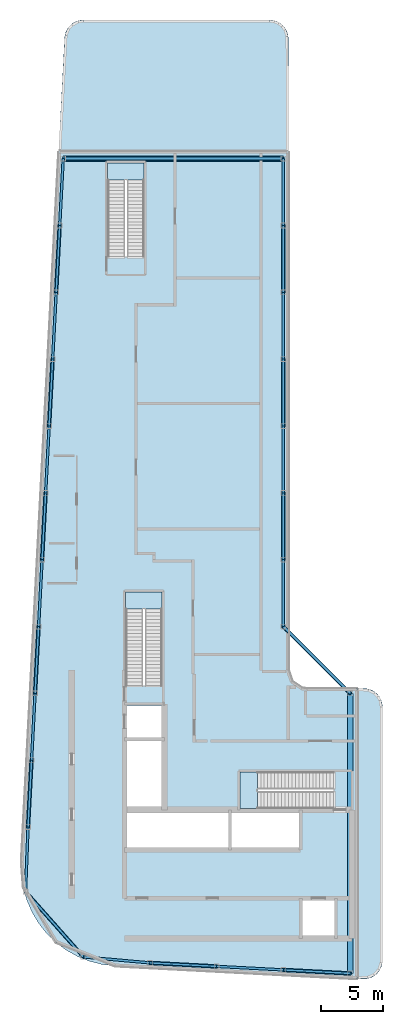
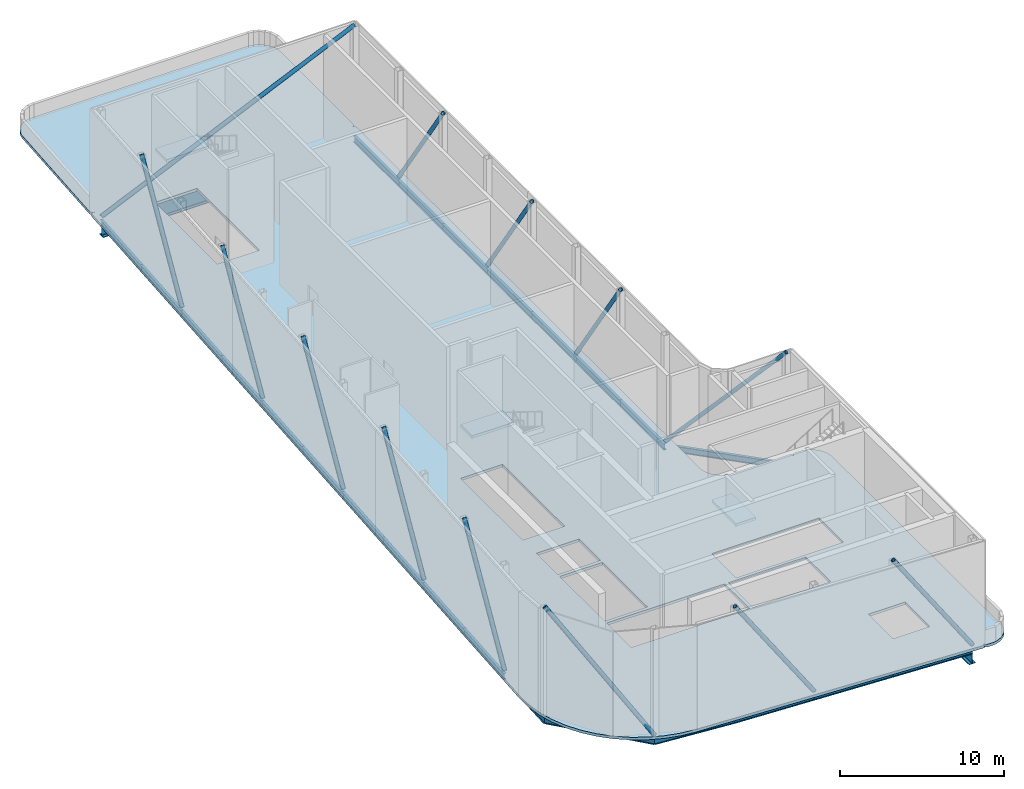
# One storey, part 3 of 10: 26 beams, 13 members, 4 slabs, 3 elements without a shape of their own.
"""IFC4 building model written with IfcOpenShell, lengths in metres."""

import ifcopenshell
import ifcopenshell.guid

model = None  # the IFC model being written
_history = None  # IfcOwnerHistory: only IFC2X3 demands one
_inside = {}  # id of a spatial element -> (the spatial element, [elements in it])
_under = {}  # id of a project, library or spatial element -> (it, [spatial elements below it])
_declared = {}  # id of a project -> (the project, [libraries it declares])
_typed = {}  # id of a type object -> (the type object, [elements of that type])
_made_of = {}  # id of a material, layer set ... -> (it, [elements and type objects made of it])


def new_model(schema):
    """Start an empty IFC model of exactly this schema.

    Asked for "IFC4X3", IfcOpenShell would pick the latest addendum, in which some entities
    have other attributes; the version numbers below select the first issue.
    IFC2X3 requires an IfcOwnerHistory on every rooted entity: one is made here for all.
    """
    global model, _history
    if schema == "IFC4X3":
        model = ifcopenshell.file(schema_version=(4, 3, 0, 0))
    else:
        model = ifcopenshell.file(schema=schema)
    _inside.clear()
    _under.clear()
    _declared.clear()
    _typed.clear()
    _made_of.clear()
    _history = None
    if model.schema == "IFC2X3":
        org = make("IfcOrganization", Name="unknown")
        user = make(
            "IfcPersonAndOrganization",
            ThePerson=make("IfcPerson", FamilyName="unknown"),
            TheOrganization=org,
        )
        app = make(
            "IfcApplication",
            ApplicationDeveloper=org,
            Version="unknown",
            ApplicationFullName="unknown",
            ApplicationIdentifier="unknown",
        )
        _history = make(
            "IfcOwnerHistory",
            OwningUser=user,
            OwningApplication=app,
            ChangeAction="ADDED",
            CreationDate=0,
        )
    return model


def make(cls, **values):
    """One entity of the class cls with the attributes given. An attribute that is None is left unset."""
    return model.create_entity(
        cls, **{name: value for name, value in values.items() if value is not None}
    )


def rooted(cls, **values):
    """An entity with a GlobalId (a new one), such as an element, a storey or a relation."""
    return make(cls, GlobalId=ifcopenshell.guid.new(), OwnerHistory=_history, **values)


def si_unit(unit_type, name, prefix=None):
    """IfcSIUnit, for example si_unit("LENGTHUNIT", "METRE", prefix="MILLI")."""
    return make("IfcSIUnit", UnitType=unit_type, Prefix=prefix, Name=name)


def assignment(units):
    """IfcUnitAssignment: the units of a project."""
    return None if units is None else make("IfcUnitAssignment", Units=units)


def point(xyz):
    """IfcCartesianPoint."""
    return None if xyz is None else make("IfcCartesianPoint", Coordinates=xyz)


def direction(xyz):
    """IfcDirection."""
    return None if xyz is None else make("IfcDirection", DirectionRatios=xyz)


def frame(location, z_axis=None, x_axis=None):
    """IfcAxis2Placement3D, a coordinate frame: its origin and axes. An axis left out is left unset."""
    return make(
        "IfcAxis2Placement3D",
        Location=point(location),
        Axis=direction(z_axis),
        RefDirection=direction(x_axis),
    )


def frame_2d(location, x_axis=None):
    """IfcAxis2Placement2D, a coordinate frame in the plane: its origin and x axis."""
    return make(
        "IfcAxis2Placement2D", Location=point(location), RefDirection=direction(x_axis)
    )


def origin():
    """The frame at (0, 0, 0) with its axes left unset."""
    return frame((0.0, 0.0, 0.0))


def origin_2d():
    """The frame at (0, 0) in the plane with its x axis left unset."""
    return frame_2d((0.0, 0.0))


def place(relative_to, where):
    """IfcLocalPlacement: puts the frame where relative to a parent placement (None: the world)."""
    return make(
        "IfcLocalPlacement", PlacementRelTo=relative_to, RelativePlacement=where
    )


def context(
    kind, dimensions, precision=None, world=None, true_north=None, identifier=None
):
    """IfcGeometricRepresentationContext, for example the 3D "Model" context."""
    return make(
        "IfcGeometricRepresentationContext",
        ContextIdentifier=identifier,
        ContextType=kind,
        CoordinateSpaceDimension=dimensions,
        Precision=precision,
        WorldCoordinateSystem=world,
        TrueNorth=true_north,
    )


def subcontext(parent, identifier, kind, view, scale=None):
    """IfcGeometricRepresentationSubContext, for example "Body" below "Model"."""
    return make(
        "IfcGeometricRepresentationSubContext",
        ContextIdentifier=identifier,
        ContextType=kind,
        ParentContext=parent,
        TargetScale=scale,
        TargetView=view,
    )


def project(units=None, contexts=None):
    """IfcProject with its units and contexts."""
    return rooted(
        "IfcProject",
        Name="project",
        RepresentationContexts=contexts,
        UnitsInContext=assignment(units),
    )


def spatial(cls, under=None, at=None, **own):
    """A site, building, storey or space (cls), placed at a placement, below another one or the project."""
    s = rooted(cls, ObjectPlacement=at, **own)
    if under is not None:
        _under.setdefault(under.id(), (under, []))[1].append(s)
    return s


def polyline(points):
    """IfcPolyline through the points."""
    return make("IfcPolyline", Points=[point(p) for p in points])


def profile(cls, at=None, kind="AREA", **sizes):
    """A parametric profile (cls). Its sizes go by their IFC names, for example OverallWidth=200.0."""
    return make(cls, ProfileType=kind, Position=at, **sizes)


def hollow_circle(**sizes):
    """IfcCircleHollowProfileDef."""
    return profile("IfcCircleHollowProfileDef", **sizes)


def i_section(**sizes):
    """IfcIShapeProfileDef."""
    return profile("IfcIShapeProfileDef", **sizes)


def outline(outer, holes=None, kind="AREA"):
    """IfcArbitraryClosedProfileDef: a profile drawn as a closed curve; with holes, ...WithVoids."""
    if holes is None:
        return make("IfcArbitraryClosedProfileDef", ProfileType=kind, OuterCurve=outer)
    return make(
        "IfcArbitraryProfileDefWithVoids",
        ProfileType=kind,
        OuterCurve=outer,
        InnerCurves=holes,
    )


def extrude(swept, where, along, depth):
    """IfcExtrudedAreaSolid: the profile swept, set in the frame where, extruded along a direction by depth."""
    return make(
        "IfcExtrudedAreaSolid",
        SweptArea=swept,
        Position=where,
        ExtrudedDirection=direction(along),
        Depth=depth,
    )


def shape(context_of_items, identifier, shape_type, items):
    """IfcShapeRepresentation: the items that make up one representation, for example the "Body"."""
    return make(
        "IfcShapeRepresentation",
        ContextOfItems=context_of_items,
        RepresentationIdentifier=identifier,
        RepresentationType=shape_type,
        Items=items,
    )


def material(Name=None, Category=None):
    """IfcMaterial."""
    return make("IfcMaterial", Name=Name, Category=Category)


def layer(
    of_material, thickness, ventilated=None, Name=None, Category=None, Priority=None
):
    """IfcMaterialLayer: one layer of a wall or slab, of a material (None: an air gap)."""
    return make(
        "IfcMaterialLayer",
        Material=of_material,
        LayerThickness=thickness,
        IsVentilated=ventilated,
        Name=Name,
        Category=Category,
        Priority=Priority,
    )


def layer_set(layers, Name=None):
    """IfcMaterialLayerSet."""
    return make("IfcMaterialLayerSet", MaterialLayers=layers, LayerSetName=Name)


def material_profile(
    of_material, cross_section, Name=None, Category=None, Priority=None
):
    """IfcMaterialProfile: a cross section and its material."""
    return make(
        "IfcMaterialProfile",
        Name=Name,
        Material=of_material,
        Profile=cross_section,
        Priority=Priority,
        Category=Category,
    )


def profile_set(profiles, Name=None, composite=None):
    """IfcMaterialProfileSet."""
    return make(
        "IfcMaterialProfileSet",
        Name=Name,
        MaterialProfiles=profiles,
        CompositeProfile=composite,
    )


def made_of(thing, what):
    """Note that an element or type object is made of a material, layer set ...; save() writes the relation."""
    if what is not None:
        _made_of.setdefault(what.id(), (what, []))[1].append(thing)
    return thing


def type_object(cls, material=None, **own):
    """A type object (cls), such as IfcWallType, which elements share."""
    return made_of(rooted(cls, **own), material)


def element(
    cls,
    number,
    at=None,
    inside=None,
    cuts=None,
    type_object=None,
    material=None,
    context=None,
    identifier="Body",
    shape_type=None,
    held_by="IfcProductDefinitionShape",
    body=None,
    shapes=None,
    **own,
):
    """One element of the class cls, such as IfcWall. Its Tag is "e" and its number.

    at: its placement. inside: the storey or other place that contains it. cuts: it is an
    opening in that element (IfcRelVoidsElement). A single representation is given by context,
    identifier, shape_type and body (its items); several are given by shapes. held_by: the class
    of the entity that holds the representations. save() writes the other relations.
    """
    e = rooted(cls, Tag="e%d" % number, ObjectPlacement=at, **own)
    if body is not None:
        shapes = [shape(context, identifier, shape_type, body)]
    if shapes is not None:
        e.Representation = make(held_by, Representations=shapes)
    if inside is not None:
        _inside.setdefault(inside.id(), (inside, []))[1].append(e)
    if cuts is not None:
        rooted(
            "IfcRelVoidsElement", RelatingBuildingElement=cuts, RelatedOpeningElement=e
        )
    if type_object is not None:
        _typed.setdefault(type_object.id(), (type_object, []))[1].append(e)
    return made_of(e, material)


def aggregate(whole, parts):
    """IfcRelAggregates: a whole, such as a stair, and the parts it consists of."""
    return rooted("IfcRelAggregates", RelatingObject=whole, RelatedObjects=parts)


def save(model, path):
    """Write the relations noted so far, then the file.

    IfcRelAggregates (storeys below a building ...), IfcRelContainedInSpatialStructure (elements
    in a storey), IfcRelDefinesByType, IfcRelAssociatesMaterial and IfcRelDeclares: one each for
    every whole, place, type object, material and project.
    """
    for whole, parts in _under.values():
        aggregate(whole, parts)
    for where, things in _inside.values():
        rooted(
            "IfcRelContainedInSpatialStructure",
            RelatedElements=things,
            RelatingStructure=where,
        )
    for kind, things in _typed.values():
        rooted("IfcRelDefinesByType", RelatedObjects=things, RelatingType=kind)
    for what, things in _made_of.values():
        rooted("IfcRelAssociatesMaterial", RelatedObjects=things, RelatingMaterial=what)
    for by, libraries in _declared.values():
        rooted("IfcRelDeclares", RelatingContext=by, RelatedDefinitions=libraries)
    model.write(path)


model = new_model("IFC4")

# Units and contexts
model_context = context("Model", 3, precision=1e-05, world=origin(), true_north=direction((0.0, 1.0)))
body_context = subcontext(model_context, "Body", "Model", "MODEL_VIEW")
ifc_project = project(units=[si_unit("LENGTHUNIT", "METRE"), si_unit("AREAUNIT", "SQUARE_METRE"), si_unit("VOLUMEUNIT", "CUBIC_METRE"), si_unit("PLANEANGLEUNIT", "RADIAN"), si_unit("MASSUNIT", "GRAM", prefix="KILO")], contexts=[model_context])

# Site, building, storey
site_placement = place(None, origin())
site = spatial("IfcSite", under=ifc_project, at=site_placement, CompositionType="ELEMENT")
building_placement = place(site_placement, origin())
building = spatial("IfcBuilding", under=site, at=building_placement, Name="Kheshtan School and Residences Tower", CompositionType="ELEMENT")
storey_placement = place(building_placement, frame((0.0, 0.0, 396.800048828125)))
storey = spatial("IfcBuildingStorey", under=building, at=storey_placement, Name="L93", CompositionType="ELEMENT", Elevation=396.800048828125)

# Beams
ifc_material_1 = material(Name="Steel ASTM A992 Grade 50", Category="steel")
ifc_material_profile_1 = material_profile(ifc_material_1, i_section(OverallWidth=0.18994140625, OverallDepth=0.45703125, WebThickness=0.009033203125, FlangeThickness=0.014404296875, FilletRadius=0.01318359375, at=origin_2d()), Name="W460x74")
ifc_profile_set_1 = profile_set([ifc_material_profile_1], Name="Steel ASTM A992 Grade 50")
beam_type_1 = type_object("IfcBeamType", Name="Beam SP4 W460x74 ASTM A992 Grade 50", PredefinedType="BEAM", material=ifc_profile_set_1)
beam_1_placement = place(storey_placement, frame((53.0, 22.97998046875, -0.428466796875), z_axis=(-0.998620447272, 0.05250906864, 0.0), x_axis=(-0.05250906864, -0.998620447272, 0.0)))
element("IfcBeam", 1, at=beam_1_placement, inside=storey, type_object=beam_type_1, Name="Spandrel beam C019-C020", PredefinedType="BEAM", context=body_context, shape_type="SweptSolid", body=[
    extrude(i_section(OverallWidth=0.18994140625, OverallDepth=0.45703125, WebThickness=0.009033203125, FlangeThickness=0.014404296875, FilletRadius=0.01318359375, at=origin_2d()), origin(), (0.0, 0.0, 1.0), 5.407470703125),
])
beam_2_placement = place(storey_placement, frame((47.60009765625, 23.263916015625, -0.428466796875), z_axis=(-0.998618203458, 0.052551724256, 0.0), x_axis=(-0.052551724256, -0.998618203458, 0.0)))
element("IfcBeam", 2, at=beam_2_placement, inside=storey, type_object=beam_type_1, Name="Spandrel beam C020-C021", PredefinedType="BEAM", context=body_context, shape_type="SweptSolid", body=[
    extrude(i_section(OverallWidth=0.18994140625, OverallDepth=0.45703125, WebThickness=0.009033203125, FlangeThickness=0.014404296875, FilletRadius=0.01318359375, at=origin_2d()), origin(), (0.0, 0.0, 1.0), 5.40771484375),
])
beam_3_placement = place(storey_placement, frame((42.199951171875, 23.548095703125, -0.428466796875), z_axis=(-0.998620447272, 0.05250906864, 0.0), x_axis=(-0.05250906864, -0.998620447272, 0.0)))
element("IfcBeam", 3, at=beam_3_placement, inside=storey, type_object=beam_type_1, Name="Spandrel beam C021-C022", PredefinedType="BEAM", context=body_context, shape_type="SweptSolid", body=[
    extrude(i_section(OverallWidth=0.18994140625, OverallDepth=0.45703125, WebThickness=0.009033203125, FlangeThickness=0.014404296875, FilletRadius=0.01318359375, at=origin_2d()), origin(), (0.0, 0.0, 1.0), 5.407470703125),
])
beam_4_placement = place(storey_placement, frame((36.800048828125, 23.83203125, -0.428466796875), z_axis=(-0.996036411806, 0.088946424077, 0.0), x_axis=(-0.088946424077, -0.996036411806, 0.0)))
element("IfcBeam", 4, at=beam_4_placement, inside=storey, type_object=beam_type_1, Name="Spandrel beam C022-C034", PredefinedType="BEAM", context=body_context, shape_type="SweptSolid", body=[
    extrude(i_section(OverallWidth=0.18994140625, OverallDepth=0.45703125, WebThickness=0.009033203125, FlangeThickness=0.014404296875, FilletRadius=0.01318359375, at=origin_2d()), origin(), (0.0, 0.0, 1.0), 5.374267578125),
])
beam_5_placement = place(storey_placement, frame((31.447021484375, 24.31005859375, -0.428466796875), z_axis=(-0.663867136248, 0.747850536812, 0.0), x_axis=(-0.747850536812, -0.663867136248, 0.0)))
element("IfcBeam", 5, at=beam_5_placement, inside=storey, type_object=beam_type_1, Name="Spandrel beam C034-C048", PredefinedType="BEAM", context=body_context, shape_type="SweptSolid", body=[
    extrude(i_section(OverallWidth=0.18994140625, OverallDepth=0.45703125, WebThickness=0.009033203125, FlangeThickness=0.014404296875, FilletRadius=0.01318359375, at=origin_2d()), origin(), (0.0, 0.0, 1.0), 7.049560546875),
])
beam_6_placement = place(storey_placement, frame((26.76708984375, 29.58203125, -0.428466796875), z_axis=(0.038664745323, 0.999252239161, 0.0), x_axis=(-0.999252239161, 0.038664745323, 0.0)))
element("IfcBeam", 6, at=beam_6_placement, inside=storey, type_object=beam_type_1, Name="Spandrel beam C048-C052", PredefinedType="BEAM", context=body_context, shape_type="SweptSolid", body=[
    extrude(i_section(OverallWidth=0.18994140625, OverallDepth=0.45703125, WebThickness=0.009033203125, FlangeThickness=0.014404296875, FilletRadius=0.01318359375, at=origin_2d()), origin(), (0.0, 0.0, 1.0), 5.221923828125),
])
beam_7_placement = place(storey_placement, frame((26.968994140625, 34.800048828125, -0.428466796875), z_axis=(0.05250906864, 0.998620447272, 0.0), x_axis=(-0.998620447272, 0.05250906864, 0.0)))
element("IfcBeam", 7, at=beam_7_placement, inside=storey, type_object=beam_type_1, Name="Spandrel beam C052-C056", PredefinedType="BEAM", context=body_context, shape_type="SweptSolid", body=[
    extrude(i_section(OverallWidth=0.18994140625, OverallDepth=0.45703125, WebThickness=0.009033203125, FlangeThickness=0.014404296875, FilletRadius=0.01318359375, at=origin_2d()), origin(), (0.0, 0.0, 1.0), 5.407470703125),
])
beam_8_placement = place(storey_placement, frame((27.2529296875, 40.199951171875, -0.428466796875), z_axis=(0.052551724256, 0.998618203458, 0.0), x_axis=(-0.998618203458, 0.052551724256, 0.0)))
element("IfcBeam", 8, at=beam_8_placement, inside=storey, type_object=beam_type_1, Name="Spandrel beam C056-C059", PredefinedType="BEAM", context=body_context, shape_type="SweptSolid", body=[
    extrude(i_section(OverallWidth=0.18994140625, OverallDepth=0.45703125, WebThickness=0.009033203125, FlangeThickness=0.014404296875, FilletRadius=0.01318359375, at=origin_2d()), origin(), (0.0, 0.0, 1.0), 5.40771484375),
])
for number, where, z_axis, x_axis, name in (
    (9, (27.537109375, 45.60009765625, -0.428466796875), (0.052689166816, 0.998610961136, 0.0), (-0.998610961136, 0.052689166816, 0.0), "Spandrel beam C059-C078"),
    (10, (27.822021484375, 51.0, -0.428466796875), (0.05250906864, 0.998620447272, 0.0), (-0.998620447272, 0.05250906864, 0.0), "Spandrel beam C078-C080"),
):
    element("IfcBeam", number, at=place(storey_placement, frame(where, z_axis=z_axis, x_axis=x_axis)), inside=storey, type_object=beam_type_1, Name=name, PredefinedType="BEAM", context=body_context, shape_type="SweptSolid", body=[
        extrude(i_section(OverallWidth=0.18994140625, OverallDepth=0.45703125, WebThickness=0.009033203125, FlangeThickness=0.014404296875, FilletRadius=0.01318359375, at=origin_2d()), origin(), (0.0, 0.0, 1.0), 5.407470703125),
    ])
beam_9_placement = place(storey_placement, frame((28.10595703125, 56.39990234375, -0.428466796875), z_axis=(0.05250670125, 0.998620571751, 0.0), x_axis=(-0.998620571751, 0.05250670125, 0.0)))
element("IfcBeam", 11, at=beam_9_placement, inside=storey, type_object=beam_type_1, Name="Spandrel beam C080-C082", PredefinedType="BEAM", context=body_context, shape_type="SweptSolid", body=[
    extrude(i_section(OverallWidth=0.18994140625, OverallDepth=0.45703125, WebThickness=0.009033203125, FlangeThickness=0.014404296875, FilletRadius=0.01318359375, at=origin_2d()), origin(), (0.0, 0.0, 1.0), 5.40771484375),
])
beam_10_placement = place(storey_placement, frame((28.389892578125, 61.800048828125, -0.428466796875), z_axis=(0.052554093665, 0.998618078766, 0.0), x_axis=(-0.998618078766, 0.052554093665, 0.0)))
element("IfcBeam", 12, at=beam_10_placement, inside=storey, type_object=beam_type_1, Name="Spandrel beam C082-C084", PredefinedType="BEAM", context=body_context, shape_type="SweptSolid", body=[
    extrude(i_section(OverallWidth=0.18994140625, OverallDepth=0.45703125, WebThickness=0.009033203125, FlangeThickness=0.014404296875, FilletRadius=0.01318359375, at=origin_2d()), origin(), (0.0, 0.0, 1.0), 5.407470703125),
])
beam_11_placement = place(storey_placement, frame((28.674072265625, 67.199951171875, -0.428466796875), z_axis=(0.05250670125, 0.998620571751, 0.0), x_axis=(-0.998620571751, 0.05250670125, 0.0)))
element("IfcBeam", 13, at=beam_11_placement, inside=storey, type_object=beam_type_1, Name="Spandrel beam C084-C086", PredefinedType="BEAM", context=body_context, shape_type="SweptSolid", body=[
    extrude(i_section(OverallWidth=0.18994140625, OverallDepth=0.45703125, WebThickness=0.009033203125, FlangeThickness=0.014404296875, FilletRadius=0.01318359375, at=origin_2d()), origin(), (0.0, 0.0, 1.0), 5.40771484375),
])
for number, where, z_axis, x_axis, name in (
    (14, (28.9580078125, 72.60009765625, -0.428466796875), (0.052689166816, 0.998610961136, 0.0), (-0.998610961136, 0.052689166816, 0.0), "Spandrel beam C086-C088"),
    (15, (29.242919921875, 78.0, -0.428466796875), (0.052554093665, 0.998618078766, 0.0), (-0.998618078766, 0.052554093665, 0.0), "Spandrel beam C088-C090"),
):
    element("IfcBeam", number, at=place(storey_placement, frame(where, z_axis=z_axis, x_axis=x_axis)), inside=storey, type_object=beam_type_1, Name=name, PredefinedType="BEAM", context=body_context, shape_type="SweptSolid", body=[
        extrude(i_section(OverallWidth=0.18994140625, OverallDepth=0.45703125, WebThickness=0.009033203125, FlangeThickness=0.014404296875, FilletRadius=0.01318359375, at=origin_2d()), origin(), (0.0, 0.0, 1.0), 5.407470703125),
    ])
beam_12_placement = place(storey_placement, frame((29.527099609375, 83.39990234375, -0.428466796875), z_axis=(0.05250670125, 0.998620571751, 0.0), x_axis=(-0.998620571751, 0.05250670125, 0.0)))
element("IfcBeam", 16, at=beam_12_placement, inside=storey, type_object=beam_type_1, Name="Spandrel beam C090-C098", PredefinedType="BEAM", context=body_context, shape_type="SweptSolid", body=[
    extrude(i_section(OverallWidth=0.18994140625, OverallDepth=0.45703125, WebThickness=0.009033203125, FlangeThickness=0.014404296875, FilletRadius=0.01318359375, at=origin_2d()), origin(), (0.0, 0.0, 1.0), 5.40771484375),
])
beam_13_placement = place(storey_placement, frame((47.60009765625, 88.800048828125, -0.428466796875), z_axis=(0.0, -1.0, 0.0), x_axis=(1.0, 0.0, 0.0)))
element("IfcBeam", 17, at=beam_13_placement, inside=storey, type_object=beam_type_1, Name="Spandrel beam C099-C091", PredefinedType="BEAM", context=body_context, shape_type="SweptSolid", body=[
    extrude(i_section(OverallWidth=0.18994140625, OverallDepth=0.45703125, WebThickness=0.009033203125, FlangeThickness=0.014404296875, FilletRadius=0.01318359375, at=origin_2d()), origin(), (0.0, 0.0, 1.0), 5.400146484375),
])
for number, where, z_axis, x_axis, name in (
    (18, (47.60009765625, 83.39990234375, -0.428466796875), (0.0, -1.0, 0.0), (1.0, 0.0, 0.0), "Spandrel beam C091-C089"),
    (19, (47.60009765625, 78.0, -0.428466796875), (0.0, -1.0, 0.0), (1.0, 0.0, 0.0), "Spandrel beam C089-C087"),
):
    element("IfcBeam", number, at=place(storey_placement, frame(where, z_axis=z_axis, x_axis=x_axis)), inside=storey, type_object=beam_type_1, Name=name, PredefinedType="BEAM", context=body_context, shape_type="SweptSolid", body=[
        extrude(i_section(OverallWidth=0.18994140625, OverallDepth=0.45703125, WebThickness=0.009033203125, FlangeThickness=0.014404296875, FilletRadius=0.01318359375, at=origin_2d()), origin(), (0.0, 0.0, 1.0), 5.39990234375),
    ])
beam_14_placement = place(storey_placement, frame((47.60009765625, 72.60009765625, -0.428466796875), z_axis=(0.0, -1.0, 0.0), x_axis=(1.0, 0.0, 0.0)))
element("IfcBeam", 20, at=beam_14_placement, inside=storey, type_object=beam_type_1, Name="Spandrel beam C087-C085", PredefinedType="BEAM", context=body_context, shape_type="SweptSolid", body=[
    extrude(i_section(OverallWidth=0.18994140625, OverallDepth=0.45703125, WebThickness=0.009033203125, FlangeThickness=0.014404296875, FilletRadius=0.01318359375, at=origin_2d()), origin(), (0.0, 0.0, 1.0), 5.400146484375),
])
beam_15_placement = place(storey_placement, frame((47.60009765625, 67.199951171875, -0.428466796875), z_axis=(0.0, -1.0, 0.0), x_axis=(1.0, 0.0, 0.0)))
element("IfcBeam", 21, at=beam_15_placement, inside=storey, type_object=beam_type_1, Name="Spandrel beam C085-C083", PredefinedType="BEAM", context=body_context, shape_type="SweptSolid", body=[
    extrude(i_section(OverallWidth=0.18994140625, OverallDepth=0.45703125, WebThickness=0.009033203125, FlangeThickness=0.014404296875, FilletRadius=0.01318359375, at=origin_2d()), origin(), (0.0, 0.0, 1.0), 5.39990234375),
])
beam_16_placement = place(storey_placement, frame((47.60009765625, 61.800048828125, -0.428466796875), z_axis=(0.0, -1.0, 0.0), x_axis=(1.0, 0.0, 0.0)))
element("IfcBeam", 22, at=beam_16_placement, inside=storey, type_object=beam_type_1, Name="Spandrel beam C083-C081", PredefinedType="BEAM", context=body_context, shape_type="SweptSolid", body=[
    extrude(i_section(OverallWidth=0.18994140625, OverallDepth=0.45703125, WebThickness=0.009033203125, FlangeThickness=0.014404296875, FilletRadius=0.01318359375, at=origin_2d()), origin(), (0.0, 0.0, 1.0), 5.400146484375),
])
beam_17_placement = place(storey_placement, frame((47.60009765625, 56.39990234375, -0.428466796875), z_axis=(0.0, -1.0, 0.0), x_axis=(1.0, 0.0, 0.0)))
element("IfcBeam", 23, at=beam_17_placement, inside=storey, type_object=beam_type_1, Name="Spandrel beam C081-C079", PredefinedType="BEAM", context=body_context, shape_type="SweptSolid", body=[
    extrude(i_section(OverallWidth=0.18994140625, OverallDepth=0.45703125, WebThickness=0.009033203125, FlangeThickness=0.014404296875, FilletRadius=0.01318359375, at=origin_2d()), origin(), (0.0, 0.0, 1.0), 5.39990234375),
])
beam_18_placement = place(storey_placement, frame((47.60009765625, 51.0, -0.428466796875), z_axis=(0.707106781187, -0.707106781187, 0.0), x_axis=(0.707106781187, 0.707106781187, 0.0)))
element("IfcBeam", 24, at=beam_18_placement, inside=storey, type_object=beam_type_1, Name="Spandrel beam C079-C061", PredefinedType="BEAM", context=body_context, shape_type="SweptSolid", body=[
    extrude(i_section(OverallWidth=0.18994140625, OverallDepth=0.45703125, WebThickness=0.009033203125, FlangeThickness=0.014404296875, FilletRadius=0.01318359375, at=origin_2d()), origin(), (0.0, 0.0, 1.0), 7.63671875),
])

# Members
ifc_material_2 = material(Name="Steel ASTM A500 Grade C", Category="steel")
ifc_material_profile_2 = material_profile(ifc_material_2, hollow_circle(Radius=0.136474609375, WallThickness=0.0126953125, at=origin_2d()), Name="HSS 273x12.7")
ifc_profile_set_2 = profile_set([ifc_material_profile_2], Name="Steel ASTM A500 Grade C")
member_type = type_object("IfcMemberType", Name="Member CF2 HSS 273x12.7 ASTM A500 Grade C", PredefinedType="BRACE", material=ifc_profile_set_2)
for number, where, z_axis, x_axis, name in (
    (25, (53.0, 22.97998046875, 0.0), (-0.559223981308, 0.029404896024, 0.828494955217), (-0.05250906864, -0.998620447272, 0.0), "Crown frame brace 2"),
    (26, (42.199951171875, 23.548095703125, 0.0), (-0.559223981308, 0.029404896024, 0.828494955217), (-0.05250906864, -0.998620447272, 0.0), "Crown frame brace 4"),
):
    element("IfcMember", number, at=place(storey_placement, frame(where, z_axis=z_axis, x_axis=x_axis)), inside=storey, type_object=member_type, Name=name, PredefinedType="BRACE", context=body_context, shape_type="SweptSolid", body=[
        extrude(hollow_circle(Radius=0.136474609375, WallThickness=0.0126953125, at=origin_2d()), origin(), (0.0, 0.0, 1.0), 9.656005859375),
    ])
member_1_placement = place(storey_placement, frame((31.447021484375, 24.31005859375, 0.0), z_axis=(-0.438902400132, 0.494426335669, 0.750271472039), x_axis=(-0.747850536812, -0.663867136248, 0.0)))
element("IfcMember", 27, at=member_1_placement, inside=storey, type_object=member_type, Name="Crown frame brace 6", PredefinedType="BRACE", context=body_context, shape_type="SweptSolid", body=[
    extrude(hollow_circle(Radius=0.136474609375, WallThickness=0.0126953125, at=origin_2d()), origin(), (0.0, 0.0, 1.0), 10.662841796875),
])
for number, where, z_axis, x_axis, name in (
    (28, (26.968994140625, 34.800048828125, 0.0), (0.029404896024, 0.559223981308, 0.828494955217), (-0.998620447272, 0.05250906864, 0.0), "Crown frame brace 8"),
    (29, (27.537109375, 45.60009765625, 0.0), (0.029505942765, 0.559222315405, 0.828492487168), (-0.998610961136, 0.052689166816, 0.0), "Crown frame brace 10"),
):
    element("IfcMember", number, at=place(storey_placement, frame(where, z_axis=z_axis, x_axis=x_axis)), inside=storey, type_object=member_type, Name=name, PredefinedType="BRACE", context=body_context, shape_type="SweptSolid", body=[
        extrude(hollow_circle(Radius=0.136474609375, WallThickness=0.0126953125, at=origin_2d()), origin(), (0.0, 0.0, 1.0), 9.656005859375),
    ])
for number, where, z_axis, x_axis, name in (
    (30, (28.10595703125, 56.39990234375, 0.0), (0.029404480261, 0.559241357603, 0.828483240921), (-0.998620571751, 0.05250670125, 0.0), "Crown frame brace 12"),
    (31, (28.674072265625, 67.199951171875, 0.0), (0.029404480261, 0.559241357603, 0.828483240921), (-0.998620571751, 0.05250670125, 0.0), "Crown frame brace 14"),
):
    element("IfcMember", number, at=place(storey_placement, frame(where, z_axis=z_axis, x_axis=x_axis)), inside=storey, type_object=member_type, Name=name, PredefinedType="BRACE", context=body_context, shape_type="SweptSolid", body=[
        extrude(hollow_circle(Radius=0.136474609375, WallThickness=0.0126953125, at=origin_2d()), origin(), (0.0, 0.0, 1.0), 9.65625),
    ])
member_2_placement = place(storey_placement, frame((29.242919921875, 78.0, 0.0), z_axis=(0.029430157794, 0.559223565367, 0.828494338997), x_axis=(-0.998618078766, 0.052554093665, 0.0)))
element("IfcMember", 32, at=member_2_placement, inside=storey, type_object=member_type, Name="Crown frame brace 16", PredefinedType="BRACE", context=body_context, shape_type="SweptSolid", body=[
    extrude(hollow_circle(Radius=0.136474609375, WallThickness=0.0126953125, at=origin_2d()), origin(), (0.0, 0.0, 1.0), 9.656005859375),
])
member_3_placement = place(storey_placement, frame((29.81103515625, 88.800048828125, 0.0), z_axis=(0.912018906983, 0.0, 0.410148160189), x_axis=(0.0, 1.0, 0.0)))
element("IfcMember", 33, at=member_3_placement, inside=storey, type_object=member_type, Name="Crown frame brace 18", PredefinedType="BRACE", context=body_context, shape_type="SweptSolid", body=[
    extrude(hollow_circle(Radius=0.136474609375, WallThickness=0.0126953125, at=origin_2d()), origin(), (0.0, 0.0, 1.0), 19.505126953125),
])
member_4_placement = place(storey_placement, frame((47.60009765625, 83.39990234375, 0.0), z_axis=(0.0, -0.559465904126, 0.828853365874), x_axis=(1.0, 0.0, 0.0)))
element("IfcMember", 34, at=member_4_placement, inside=storey, type_object=member_type, Name="Crown frame brace 20", PredefinedType="BRACE", context=body_context, shape_type="SweptSolid", body=[
    extrude(hollow_circle(Radius=0.136474609375, WallThickness=0.0126953125, at=origin_2d()), origin(), (0.0, 0.0, 1.0), 9.65185546875),
])
for number, where, z_axis, x_axis, name in (
    (35, (47.60009765625, 72.60009765625, 0.0), (0.0, -0.559483281092, 0.828841636369), (1.0, 0.0, 0.0), "Crown frame brace 22"),
    (36, (47.60009765625, 61.800048828125, 0.0), (0.0, -0.559483281092, 0.828841636369), (1.0, 0.0, 0.0), "Crown frame brace 24"),
):
    element("IfcMember", number, at=place(storey_placement, frame(where, z_axis=z_axis, x_axis=x_axis)), inside=storey, type_object=member_type, Name=name, PredefinedType="BRACE", context=body_context, shape_type="SweptSolid", body=[
        extrude(hollow_circle(Radius=0.136474609375, WallThickness=0.0126953125, at=origin_2d()), origin(), (0.0, 0.0, 1.0), 9.652099609375),
    ])
member_5_placement = place(storey_placement, frame((47.60009765625, 51.0, 0.0), z_axis=(0.488248496041, -0.488248496041, 0.723344186558), x_axis=(0.707106781187, 0.707106781187, 0.0)))
element("IfcMember", 37, at=member_5_placement, inside=storey, type_object=member_type, Name="Crown frame brace 26", PredefinedType="BRACE", context=body_context, shape_type="SweptSolid", body=[
    extrude(hollow_circle(Radius=0.136474609375, WallThickness=0.0126953125, at=origin_2d()), origin(), (0.0, 0.0, 1.0), 11.059814453125),
])

# Beams
ifc_material_profile_3 = material_profile(ifc_material_1, i_section(OverallWidth=0.449951171875, OverallDepth=1.25, WebThickness=0.02490234375, FlangeThickness=0.044921875, FilletRadius=0.03759765625, at=origin_2d()), Name="WWF1250x546")
ifc_profile_set_3 = profile_set([ifc_material_profile_3], Name="Steel ASTM A992 Grade 50")
beam_type_2 = type_object("IfcBeamType", Name="Transfer girder TG4 WWF1250x546 ASTM A992 Grade 50", PredefinedType="BEAM", material=ifc_profile_set_3)
beam_19_placement = place(storey_placement, frame((53.0, 45.60009765625, -0.824951171875), z_axis=(0.0, -1.0, 0.0), x_axis=(1.0, 0.0, 0.0)))
element("IfcBeam", 38, at=beam_19_placement, inside=storey, type_object=beam_type_2, Name="Transfer girder C061-C019", PredefinedType="BEAM", context=body_context, shape_type="SweptSolid", body=[
    extrude(i_section(OverallWidth=0.449951171875, OverallDepth=1.25, WebThickness=0.02490234375, FlangeThickness=0.044921875, FilletRadius=0.03759765625, at=origin_2d()), origin(), (0.0, 0.0, 1.0), 22.6201171875),
])
beam_20_placement = place(storey_placement, frame((29.81103515625, 88.800048828125, -0.824951171875), z_axis=(1.0, 0.0, 0.0), x_axis=(0.0, 1.0, 0.0)))
element("IfcBeam", 39, at=beam_20_placement, inside=storey, type_object=beam_type_2, Name="Transfer girder C098-C099", PredefinedType="BEAM", context=body_context, shape_type="SweptSolid", body=[
    extrude(i_section(OverallWidth=0.449951171875, OverallDepth=1.25, WebThickness=0.02490234375, FlangeThickness=0.044921875, FilletRadius=0.03759765625, at=origin_2d()), origin(), (0.0, 0.0, 1.0), 17.7890625),
])

# Slab
ifc_material_3 = material(Name="Concrete C40/50", Category="concrete")
ifc_layer_1 = layer(ifc_material_3, 0.199951171875)
ifc_layer_set_1 = layer_set([ifc_layer_1], Name="Floor slab 200 Concrete C40/50")
slab_type_1 = type_object("IfcSlabType", Name="Floor slab 200 Concrete C40/50", PredefinedType="FLOOR", material=ifc_layer_set_1)
slab_1_placement = place(storey_placement, frame((0.0, 0.0, -0.199951171875)))
element("IfcSlab", 40, at=slab_1_placement, inside=storey, type_object=slab_type_1, Name="Floor slab L93", PredefinedType="FLOOR", context=body_context, shape_type="SweptSolid", body=[
    extrude(outline(polyline([(54.657958984375, 45.89208984375), (54.68896484375, 45.87890625), (54.8359375, 45.805908203125), (54.864013671875, 45.7900390625), (55.0, 45.698974609375), (55.02490234375, 45.679931640625), (55.14794921875, 45.572998046875), (55.173095703125, 45.548095703125), (55.280029296875, 45.425048828125), (55.299072265625, 45.39990234375), (55.389892578125, 45.263916015625), (55.406005859375, 45.236083984375), (55.47900390625, 45.089111328125), (55.491943359375, 45.05810546875), (55.5439453125, 44.903076171875), (55.552001953125, 44.8720703125), (55.583984375, 44.7119140625), (55.587890625, 44.678955078125), (55.59912109375, 44.508056640625), (55.60009765625, 44.491943359375), (55.60009765625, 24.031982421875), (55.59912109375, 24.014892578125), (55.5869140625, 23.837890625), (55.5830078125, 23.804931640625), (55.549072265625, 23.638916015625), (55.5400390625, 23.60595703125), (55.48388671875, 23.446044921875), (55.469970703125, 23.4150390625), (55.39306640625, 23.264892578125), (55.3759765625, 23.236083984375), (55.280029296875, 23.097900390625), (55.258056640625, 23.071044921875), (55.14306640625, 22.947021484375), (55.1201171875, 22.925048828125), (54.989990234375, 22.81689453125), (54.9609375, 22.7958984375), (54.81689453125, 22.70703125), (54.7880859375, 22.69189453125), (54.634033203125, 22.623046875), (54.60205078125, 22.611083984375), (54.43994140625, 22.56396484375), (54.407958984375, 22.556884765625), (54.240966796875, 22.531005859375), (54.20703125, 22.528076171875), (54.030029296875, 22.52490234375), (54.012939453125, 22.52490234375), (53.8369140625, 22.533935546875), (53.81201171875, 22.537109375), (53.787109375, 22.5419921875), (53.762939453125, 22.550048828125), (53.739990234375, 22.56005859375), (53.718017578125, 22.572021484375), (53.697021484375, 22.5859375), (53.677978515625, 22.60302734375), (53.659912109375, 22.62109375), (53.64501953125, 22.64111328125), (53.631103515625, 22.6630859375), (53.6201171875, 22.68505859375), (53.611083984375, 22.708984375), (53.60498046875, 22.73388671875), (53.60107421875, 22.759033203125), (53.60009765625, 22.783935546875), (53.60009765625, 22.547119140625), (33.989013671875, 23.580078125), (32.949951171875, 23.702880859375), (31.93603515625, 23.9609375), (30.964111328125, 24.34912109375), (30.051025390625, 24.860107421875), (29.2119140625, 25.486083984375), (28.462890625, 26.217041015625), (27.81494140625, 27.0390625), (27.281005859375, 27.93798828125), (26.867919921875, 28.89990234375), (26.583984375, 29.906982421875), (26.43408203125, 30.943115234375), (26.419921875, 31.989013671875), (29.44189453125, 89.39990234375), (29.7060546875, 89.39990234375), (29.681884765625, 89.40087890625), (29.658935546875, 89.405029296875), (29.635009765625, 89.409912109375), (29.613037109375, 89.41796875), (29.591064453125, 89.427978515625), (29.570068359375, 89.43994140625), (29.551025390625, 89.4541015625), (29.532958984375, 89.468994140625), (29.51708984375, 89.487060546875), (29.501953125, 89.506103515625), (29.489013671875, 89.52587890625), (29.47802734375, 89.547119140625), (29.468994140625, 89.569091796875), (29.462890625, 89.592041015625), (29.4580078125, 89.614990234375), (29.4560546875, 89.638916015625), (29.4560546875, 89.6630859375), (29.924072265625, 98.570068359375), (29.926025390625, 98.5869140625), (29.947998046875, 98.76708984375), (29.9541015625, 98.801025390625), (29.998046875, 98.967041015625), (30.010009765625, 99.0009765625), (30.077880859375, 99.159912109375), (30.092041015625, 99.18798828125), (30.178955078125, 99.3369140625), (30.18896484375, 99.35302734375), (30.199951171875, 99.367919921875), (30.30810546875, 99.501953125), (30.3310546875, 99.52587890625), (30.4560546875, 99.64501953125), (30.48291015625, 99.66796875), (30.6220703125, 99.76708984375), (30.65087890625, 99.783935546875), (30.804931640625, 99.864990234375), (30.8369140625, 99.87890625), (30.9990234375, 99.93701171875), (31.031005859375, 99.947021484375), (31.199951171875, 99.98291015625), (31.235107421875, 99.987060546875), (31.4140625, 99.9990234375), (31.430908203125, 100.0), (46.491943359375, 100.0), (46.508056640625, 99.9990234375), (46.678955078125, 99.988037109375), (46.7119140625, 99.98388671875), (46.8720703125, 99.951904296875), (46.903076171875, 99.944091796875), (47.05810546875, 99.89208984375), (47.089111328125, 99.87890625), (47.236083984375, 99.805908203125), (47.263916015625, 99.7900390625), (47.39990234375, 99.698974609375), (47.425048828125, 99.679931640625), (47.548095703125, 99.572998046875), (47.572998046875, 99.548095703125), (47.679931640625, 99.425048828125), (47.698974609375, 99.39990234375), (47.7900390625, 99.263916015625), (47.805908203125, 99.236083984375), (47.87890625, 99.089111328125), (47.89208984375, 99.05810546875), (47.944091796875, 98.903076171875), (47.951904296875, 98.8720703125), (47.98388671875, 98.7119140625), (47.988037109375, 98.678955078125), (47.9990234375, 98.508056640625), (48.0, 98.491943359375), (48.0, 89.64990234375), (47.9990234375, 89.625), (47.9951171875, 89.60107421875), (47.989013671875, 89.576904296875), (47.98095703125, 89.553955078125), (47.969970703125, 89.531982421875), (47.9580078125, 89.510986328125), (47.943115234375, 89.490966796875), (47.927001953125, 89.472900390625), (47.908935546875, 89.45703125), (47.888916015625, 89.44189453125), (47.867919921875, 89.429931640625), (47.845947265625, 89.4189453125), (47.822998046875, 89.410888671875), (47.799072265625, 89.405029296875), (47.77490234375, 89.40087890625), (47.75, 89.39990234375), (48.0, 89.39990234375), (48.0, 47.5), (48.012939453125, 47.303955078125), (48.051025390625, 47.112060546875), (48.114013671875, 46.926025390625), (48.200927734375, 46.75), (48.31005859375, 46.5869140625), (48.43896484375, 46.43896484375), (48.5869140625, 46.31005859375), (48.75, 46.200927734375), (48.926025390625, 46.114013671875), (49.112060546875, 46.051025390625), (49.303955078125, 46.012939453125), (49.5, 46.0), (53.60009765625, 46.0), (53.60009765625, 45.75), (53.60107421875, 45.77490234375), (53.60498046875, 45.799072265625), (53.611083984375, 45.822998046875), (53.618896484375, 45.845947265625), (53.6298828125, 45.867919921875), (53.64208984375, 45.888916015625), (53.656982421875, 45.908935546875), (53.673095703125, 45.927001953125), (53.69091796875, 45.943115234375), (53.7109375, 45.9580078125), (53.73193359375, 45.969970703125), (53.75390625, 45.98095703125), (53.777099609375, 45.989013671875), (53.801025390625, 45.9951171875), (53.824951171875, 45.9990234375), (53.85009765625, 46.0), (54.092041015625, 46.0), (54.10791015625, 45.9990234375), (54.279052734375, 45.988037109375), (54.31201171875, 45.98388671875), (54.471923828125, 45.951904296875), (54.5029296875, 45.944091796875), (54.657958984375, 45.89208984375)]), holes=[polyline([(51.72509765625, 25.925048828125), (51.72509765625, 28.925048828125), (49.125, 28.925048828125), (49.125, 25.925048828125), (51.72509765625, 25.925048828125)]), polyline([(34.875, 33.074951171875), (43.175048828125, 33.074951171875), (43.175048828125, 36.074951171875), (34.875, 36.074951171875), (34.875, 33.074951171875)]), polyline([(48.875, 36.074951171875), (43.425048828125, 36.074951171875), (43.425048828125, 33.074951171875), (48.875, 33.074951171875), (48.875, 36.074951171875)]), polyline([(51.639892578125, 37.699951171875), (51.64990234375, 37.699951171875), (51.64990234375, 39.25), (44.090087890625, 39.25), (44.090087890625, 36.300048828125), (51.639892578125, 36.300048828125), (51.639892578125, 37.699951171875)]), polyline([(37.875, 36.324951171875), (37.875, 41.77490234375), (34.875, 41.77490234375), (34.875, 36.324951171875), (37.875, 36.324951171875)]), polyline([(37.875, 42.02490234375), (37.875, 44.625), (34.875, 44.625), (34.875, 42.02490234375), (37.875, 42.02490234375)]), polyline([(36.25, 46.260009765625), (36.25, 46.25), (37.800048828125, 46.25), (37.800048828125, 53.81005859375), (34.85009765625, 53.81005859375), (34.85009765625, 46.260009765625), (36.25, 46.260009765625)]), polyline([(36.35009765625, 80.89990234375), (36.35009765625, 88.4599609375), (33.39990234375, 88.4599609375), (33.39990234375, 80.909912109375), (34.800048828125, 80.909912109375), (34.800048828125, 80.89990234375), (36.35009765625, 80.89990234375)])]), origin(), (0.0, 0.0, 1.0), 0.199951171875),
])

# Stair, slab
stair_type = type_object("IfcStairType", Name="Exit stair, half-turn", PredefinedType="HALF_TURN_STAIR", material=ifc_material_3)
stair_1_placement = place(storey_placement, origin())
stair_1 = element("IfcStair", 41, at=stair_1_placement, inside=storey, type_object=stair_type, Name="L93 Protected Exit Stair ST1", PredefinedType="HALF_TURN_STAIR")
ifc_layer_2 = layer(ifc_material_3, 0.199951171875)
ifc_layer_set_2 = layer_set([ifc_layer_2], Name="Stair landing 200 Concrete C40/50")
slab_type_2 = type_object("IfcSlabType", Name="Stair landing 200 Concrete C40/50", PredefinedType="LANDING", material=ifc_layer_set_2)
slab_2_placement = place(storey_placement, frame((0.0, 0.0, 3.800048828125)))
slab_2 = element("IfcSlab", 42, at=slab_2_placement, type_object=slab_type_2, Name="ST1 landing 1", PredefinedType="LANDING", context=body_context, shape_type="SweptSolid", body=[
    extrude(outline(polyline([(45.489990234375, 39.25), (44.090087890625, 39.25), (44.090087890625, 36.300048828125), (45.489990234375, 36.300048828125), (45.489990234375, 39.25)])), origin(), (0.0, 0.0, 1.0), 0.199951171875),
])
aggregate(stair_1, [slab_2])

stair_2_placement = place(storey_placement, origin())
stair_2 = element("IfcStair", 43, at=stair_2_placement, inside=storey, type_object=stair_type, Name="L93 Protected Exit Stair ST2", PredefinedType="HALF_TURN_STAIR")
slab_3_placement = place(storey_placement, frame((0.0, 0.0, 3.800048828125)))
slab_3 = element("IfcSlab", 44, at=slab_3_placement, type_object=slab_type_2, Name="ST2 landing 1", PredefinedType="LANDING", context=body_context, shape_type="SweptSolid", body=[
    extrude(outline(polyline([(37.800048828125, 52.409912109375), (37.800048828125, 53.81005859375), (34.85009765625, 53.81005859375), (34.85009765625, 52.409912109375), (37.800048828125, 52.409912109375)])), origin(), (0.0, 0.0, 1.0), 0.199951171875),
])
aggregate(stair_2, [slab_3])

stair_3_placement = place(storey_placement, origin())
stair_3 = element("IfcStair", 45, at=stair_3_placement, inside=storey, type_object=stair_type, Name="L93 Protected Exit Stair ST3", PredefinedType="HALF_TURN_STAIR")
slab_4_placement = place(storey_placement, frame((0.0, 0.0, 3.800048828125)))
slab_4 = element("IfcSlab", 46, at=slab_4_placement, type_object=slab_type_2, Name="ST3 landing 1", PredefinedType="LANDING", context=body_context, shape_type="SweptSolid", body=[
    extrude(outline(polyline([(36.35009765625, 87.06005859375), (36.35009765625, 88.4599609375), (33.39990234375, 88.4599609375), (33.39990234375, 87.06005859375), (36.35009765625, 87.06005859375)])), origin(), (0.0, 0.0, 1.0), 0.199951171875),
])
aggregate(stair_3, [slab_4])

save(model, "model.ifc")
